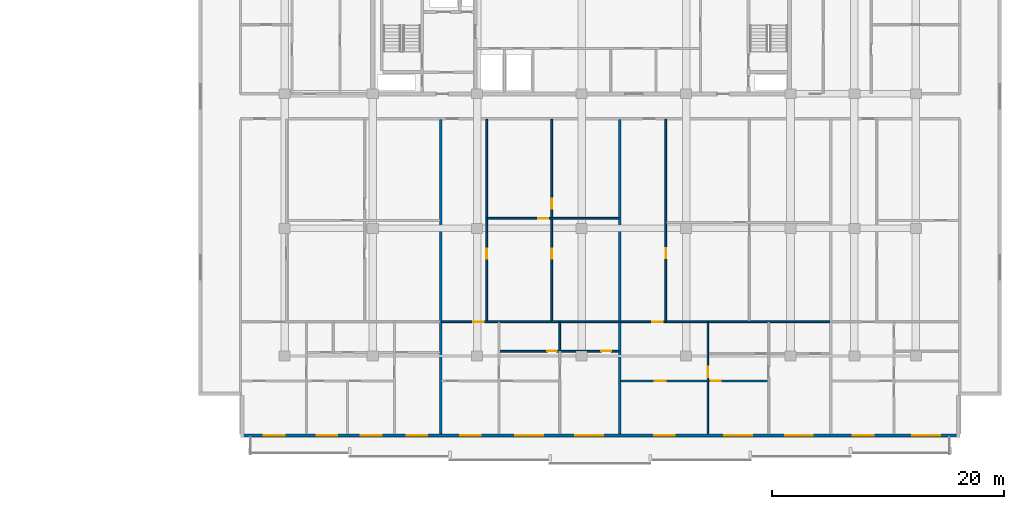
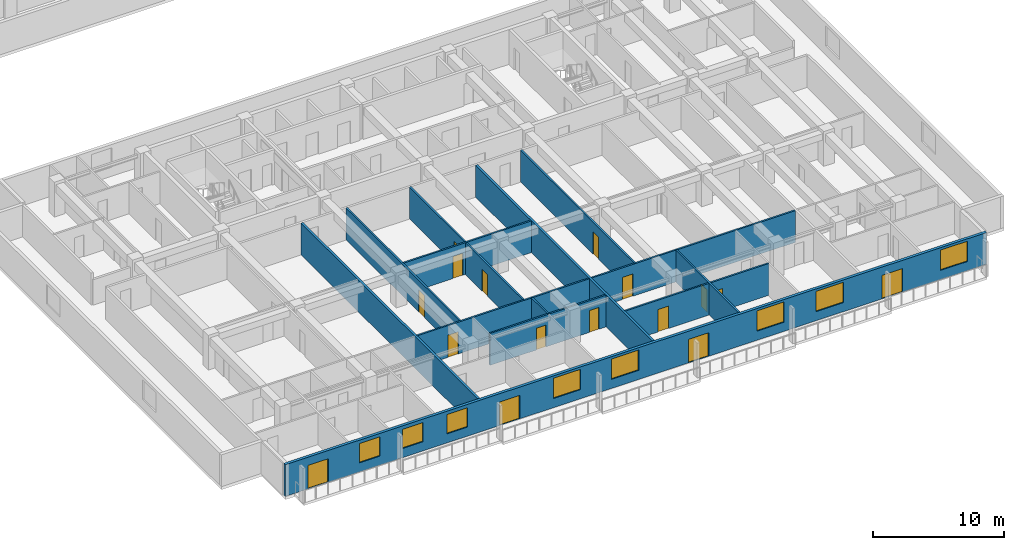
# One storey, part 5 of 24: 16 doors, 13 walls, 8 windows, 24 openings.
"""IFC4 building model written with IfcOpenShell, lengths in metres."""

from ifc_helpers import new_model, si_unit, direction, frame, frame_2d, origin, place, context, subcontext, project, spatial, rectangle, extrude, material, layer, layer_set, type_object, element, fill, save


model = new_model("IFC4")

# Units and contexts
model_context = context("Model", 3, precision=1e-05, world=origin(), true_north=direction((0.0, 1.0)))
body_context = subcontext(model_context, "Body", "Model", "MODEL_VIEW")
ifc_project = project(units=[si_unit("LENGTHUNIT", "METRE"), si_unit("AREAUNIT", "SQUARE_METRE"), si_unit("VOLUMEUNIT", "CUBIC_METRE"), si_unit("PLANEANGLEUNIT", "RADIAN"), si_unit("MASSUNIT", "GRAM", prefix="KILO")], contexts=[model_context])

# Site, building, storey
site_placement = place(None, origin())
site = spatial("IfcSite", under=ifc_project, at=site_placement, CompositionType="ELEMENT")
building_placement = place(site_placement, origin())
building = spatial("IfcBuilding", under=site, at=building_placement, Name="Korimba Cascade Residences", CompositionType="ELEMENT")
storey_placement = place(building_placement, frame((0.0, 0.0, 43.5)))
storey = spatial("IfcBuildingStorey", under=building, at=storey_placement, Name="L11", CompositionType="ELEMENT", Elevation=43.5)

# Wall, openings, doors, windows
ifc_material_1 = material(Name="Precast concrete C40/50", Category="concrete")
ifc_layer_1 = layer(ifc_material_1, 0.25)
ifc_layer_set_1 = layer_set([ifc_layer_1], Name="Precast concrete C40/50")
wall_type_1 = type_object("IfcWallType", Name="EW-LOG-250", PredefinedType="STANDARD", material=ifc_layer_set_1)
wall_1_placement = place(storey_placement, frame((70.699951171875, -11.050048828125, 0.0), z_axis=(0.0, 0.0, 1.0), x_axis=(1.0, 0.0, 0.0)))
wall_1 = element("IfcWall", 1, at=wall_1_placement, inside=storey, type_object=wall_type_1, Name="L11 T2 Perimeter Stone Wall E00", PredefinedType="STANDARD", context=body_context, shape_type="SweptSolid", body=[
    extrude(rectangle(XDim=62.0, YDim=0.25, at=frame_2d((31.0, 0.0))), origin(), (0.0, 0.0, 1.0), 2.969970703125),
])
opening_1_placement = place(wall_1_placement, frame((6.554931640625, 0.0, 0.85009765625)))
opening_1 = element("IfcOpeningElement", 2, at=opening_1_placement, cuts=wall_1, Name="Opening W-02", PredefinedType="OPENING", context=body_context, shape_type="SweptSolid", body=[
    extrude(rectangle(XDim=1.800048828125, YDim=1.800048828125, at=frame_2d((0.89990234375, 0.89990234375))), frame((0.0, 0.135009765625, 0.0), z_axis=(0.0, -1.0, 0.0), x_axis=(1.0, 0.0, 0.0)), (0.0, 0.0, 1.0), 0.27001953125),
])
opening_2_placement = place(wall_1_placement, frame((10.35498046875, 0.0, 0.85009765625)))
opening_2 = element("IfcOpeningElement", 3, at=opening_2_placement, cuts=wall_1, Name="Opening W-02", PredefinedType="OPENING", context=body_context, shape_type="SweptSolid", body=[
    extrude(rectangle(XDim=1.800048828125, YDim=1.800048828125, at=frame_2d((0.89990234375, 0.89990234375))), frame((0.0, 0.135009765625, 0.0), z_axis=(0.0, -1.0, 0.0), x_axis=(1.0, 0.0, 0.0)), (0.0, 0.0, 1.0), 0.27001953125),
])
opening_3_placement = place(wall_1_placement, frame((2.0, 0.0, 0.0)))
opening_3 = element("IfcOpeningElement", 4, at=opening_3_placement, cuts=wall_1, Name="Opening D-LG1", PredefinedType="OPENING", context=body_context, shape_type="SweptSolid", body=[
    extrude(rectangle(XDim=1.800048828125, YDim=2.199951171875, at=frame_2d((0.89990234375, 1.10009765625))), frame((0.0, 0.135009765625, 0.0), z_axis=(0.0, -1.0, 0.0), x_axis=(1.0, 0.0, 0.0)), (0.0, 0.0, 1.0), 0.27001953125),
])
opening_4_placement = place(wall_1_placement, frame((14.308349609375, 0.0, 0.85009765625)))
opening_4 = element("IfcOpeningElement", 5, at=opening_4_placement, cuts=wall_1, Name="Opening W-02", PredefinedType="OPENING", context=body_context, shape_type="SweptSolid", body=[
    extrude(rectangle(XDim=1.800048828125, YDim=1.800048828125, at=frame_2d((0.89990234375, 0.89990234375))), frame((0.0, 0.135009765625, 0.0), z_axis=(0.0, -1.0, 0.0), x_axis=(1.0, 0.0, 0.0)), (0.0, 0.0, 1.0), 0.27001953125),
])
opening_5_placement = place(wall_1_placement, frame((23.699951171875, 0.0, 0.85009765625)))
opening_5 = element("IfcOpeningElement", 6, at=opening_5_placement, cuts=wall_1, Name="Opening W-01", PredefinedType="OPENING", context=body_context, shape_type="SweptSolid", body=[
    extrude(rectangle(XDim=2.39990234375, YDim=1.89990234375, at=frame_2d((1.199951171875, 0.949951171875))), frame((0.0, 0.135009765625, 0.0), z_axis=(0.0, -1.0, 0.0), x_axis=(1.0, 0.0, 0.0)), (0.0, 0.0, 1.0), 0.27001953125),
])
opening_6_placement = place(wall_1_placement, frame((18.928466796875, 0.0, 0.0)))
opening_6 = element("IfcOpeningElement", 7, at=opening_6_placement, cuts=wall_1, Name="Opening D-LG1", PredefinedType="OPENING", context=body_context, shape_type="SweptSolid", body=[
    extrude(rectangle(XDim=1.800048828125, YDim=2.199951171875, at=frame_2d((0.89990234375, 1.10009765625))), frame((0.0, 0.135009765625, 0.0), z_axis=(0.0, -1.0, 0.0), x_axis=(1.0, 0.0, 0.0)), (0.0, 0.0, 1.0), 0.27001953125),
])
opening_7_placement = place(wall_1_placement, frame((28.843994140625, 0.0, 0.85009765625)))
opening_7 = element("IfcOpeningElement", 8, at=opening_7_placement, cuts=wall_1, Name="Opening W-01", PredefinedType="OPENING", context=body_context, shape_type="SweptSolid", body=[
    extrude(rectangle(XDim=2.39990234375, YDim=1.89990234375, at=frame_2d((1.199951171875, 0.949951171875))), frame((0.0, 0.135009765625, 0.0), z_axis=(0.0, -1.0, 0.0), x_axis=(1.0, 0.0, 0.0)), (0.0, 0.0, 1.0), 0.27001953125),
])
opening_8_placement = place(wall_1_placement, frame((41.699951171875, 0.0, 0.85009765625)))
opening_8 = element("IfcOpeningElement", 9, at=opening_8_placement, cuts=wall_1, Name="Opening W-01", PredefinedType="OPENING", context=body_context, shape_type="SweptSolid", body=[
    extrude(rectangle(XDim=2.39990234375, YDim=1.89990234375, at=frame_2d((1.199951171875, 0.949951171875))), frame((0.0, 0.135009765625, 0.0), z_axis=(0.0, -1.0, 0.0), x_axis=(1.0, 0.0, 0.0)), (0.0, 0.0, 1.0), 0.27001953125),
])
opening_9_placement = place(wall_1_placement, frame((35.64404296875, 0.0, 0.0)))
opening_9 = element("IfcOpeningElement", 10, at=opening_9_placement, cuts=wall_1, Name="Opening D-LG1", PredefinedType="OPENING", context=body_context, shape_type="SweptSolid", body=[
    extrude(rectangle(XDim=1.800048828125, YDim=2.199951171875, at=frame_2d((0.89990234375, 1.10009765625))), frame((0.0, 0.135009765625, 0.0), z_axis=(0.0, -1.0, 0.0), x_axis=(1.0, 0.0, 0.0)), (0.0, 0.0, 1.0), 0.27001953125),
])
opening_10_placement = place(wall_1_placement, frame((46.93505859375, 0.0, 0.85009765625)))
opening_10 = element("IfcOpeningElement", 11, at=opening_10_placement, cuts=wall_1, Name="Opening W-01", PredefinedType="OPENING", context=body_context, shape_type="SweptSolid", body=[
    extrude(rectangle(XDim=2.39990234375, YDim=1.89990234375, at=frame_2d((1.199951171875, 0.949951171875))), frame((0.0, 0.135009765625, 0.0), z_axis=(0.0, -1.0, 0.0), x_axis=(1.0, 0.0, 0.0)), (0.0, 0.0, 1.0), 0.27001953125),
])
opening_11_placement = place(wall_1_placement, frame((52.755126953125, 0.0, 0.0)))
opening_11 = element("IfcOpeningElement", 12, at=opening_11_placement, cuts=wall_1, Name="Opening D-LG1", PredefinedType="OPENING", context=body_context, shape_type="SweptSolid", body=[
    extrude(rectangle(XDim=1.800048828125, YDim=2.199951171875, at=frame_2d((0.89990234375, 1.10009765625))), frame((0.0, 0.135009765625, 0.0), z_axis=(0.0, -1.0, 0.0), x_axis=(1.0, 0.0, 0.0)), (0.0, 0.0, 1.0), 0.27001953125),
])
opening_12_placement = place(wall_1_placement, frame((57.89990234375, 0.0, 0.85009765625)))
opening_12 = element("IfcOpeningElement", 13, at=opening_12_placement, cuts=wall_1, Name="Opening W-01", PredefinedType="OPENING", context=body_context, shape_type="SweptSolid", body=[
    extrude(rectangle(XDim=2.39990234375, YDim=1.89990234375, at=frame_2d((1.199951171875, 0.949951171875))), frame((0.0, 0.135009765625, 0.0), z_axis=(0.0, -1.0, 0.0), x_axis=(1.0, 0.0, 0.0)), (0.0, 0.0, 1.0), 0.27001953125),
])
ifc_material_2 = material(Name="Glazed Aluminium Loggia Sliding Door", Category="aluminium")
door_type_1 = type_object("IfcDoorType", Name="DR-EXT-LOG", OperationType="NOTDEFINED", PredefinedType="DOOR", material=ifc_material_2)
door_1_placement = place(opening_3_placement, origin())
door_1 = element("IfcDoor", 14, at=door_1_placement, inside=storey, type_object=door_type_1, Name="L11 T2 Loggia Sliding Door 5", OperationType="SLIDING_TO_RIGHT", OverallHeight=2.199951171875, OverallWidth=1.800048828125, PredefinedType="DOOR", context=body_context, shape_type="SweptSolid", body=[
    extrude(rectangle(XDim=1.800048828125, YDim=2.199951171875, at=frame_2d((0.89990234375, 1.10009765625))), frame((0.0, 0.02490234375, 0.0), z_axis=(0.0, -1.0, 0.0), x_axis=(1.0, 0.0, 0.0)), (0.0, 0.0, 1.0), 0.050048828125),
])
fill(opening_3, door_1)
door_2_placement = place(opening_6_placement, origin())
door_2 = element("IfcDoor", 15, at=door_2_placement, inside=storey, type_object=door_type_1, Name="L11 T2 Loggia Sliding Door 8", OperationType="SLIDING_TO_RIGHT", OverallHeight=2.199951171875, OverallWidth=1.800048828125, PredefinedType="DOOR", context=body_context, shape_type="SweptSolid", body=[
    extrude(rectangle(XDim=1.800048828125, YDim=2.199951171875, at=frame_2d((0.89990234375, 1.10009765625))), frame((0.0, 0.02490234375, 0.0), z_axis=(0.0, -1.0, 0.0), x_axis=(1.0, 0.0, 0.0)), (0.0, 0.0, 1.0), 0.050048828125),
])
fill(opening_6, door_2)
door_3_placement = place(opening_9_placement, origin())
door_3 = element("IfcDoor", 16, at=door_3_placement, inside=storey, type_object=door_type_1, Name="L11 T2 Loggia Sliding Door 11", OperationType="SLIDING_TO_RIGHT", OverallHeight=2.199951171875, OverallWidth=1.800048828125, PredefinedType="DOOR", context=body_context, shape_type="SweptSolid", body=[
    extrude(rectangle(XDim=1.800048828125, YDim=2.199951171875, at=frame_2d((0.89990234375, 1.10009765625))), frame((0.0, 0.02490234375, 0.0), z_axis=(0.0, -1.0, 0.0), x_axis=(1.0, 0.0, 0.0)), (0.0, 0.0, 1.0), 0.050048828125),
])
fill(opening_9, door_3)
door_4_placement = place(opening_11_placement, origin())
door_4 = element("IfcDoor", 17, at=door_4_placement, inside=storey, type_object=door_type_1, Name="L11 T2 Loggia Sliding Door 13", OperationType="SLIDING_TO_RIGHT", OverallHeight=2.199951171875, OverallWidth=1.800048828125, PredefinedType="DOOR", context=body_context, shape_type="SweptSolid", body=[
    extrude(rectangle(XDim=1.800048828125, YDim=2.199951171875, at=frame_2d((0.89990234375, 1.10009765625))), frame((0.0, 0.02490234375, 0.0), z_axis=(0.0, -1.0, 0.0), x_axis=(1.0, 0.0, 0.0)), (0.0, 0.0, 1.0), 0.050048828125),
])
fill(opening_11, door_4)
ifc_material_3 = material(Name="Double-Glazed Aluminium Window", Category="aluminium")
window_type_1 = type_object("IfcWindowType", Name="WIN-BED-1800", PartitioningType="SINGLE_PANEL", PredefinedType="WINDOW", material=ifc_material_3)
window_1_placement = place(opening_1_placement, origin())
window_1 = element("IfcWindow", 18, at=window_1_placement, inside=storey, type_object=window_type_1, Name="L11 T2 South Facade Window 3", OverallHeight=1.800048828125, OverallWidth=1.800048828125, PartitioningType="SINGLE_PANEL", PredefinedType="WINDOW", context=body_context, shape_type="SweptSolid", body=[
    extrude(rectangle(XDim=1.800048828125, YDim=1.800048828125, at=frame_2d((0.89990234375, 0.89990234375))), frame((0.0, 0.030029296875, 0.0), z_axis=(0.0, -1.0, 0.0), x_axis=(1.0, 0.0, 0.0)), (0.0, 0.0, 1.0), 0.06005859375),
])
fill(opening_1, window_1)
window_2_placement = place(opening_2_placement, origin())
window_2 = element("IfcWindow", 19, at=window_2_placement, inside=storey, type_object=window_type_1, Name="L11 T2 South Facade Window 4", OverallHeight=1.800048828125, OverallWidth=1.800048828125, PartitioningType="SINGLE_PANEL", PredefinedType="WINDOW", context=body_context, shape_type="SweptSolid", body=[
    extrude(rectangle(XDim=1.800048828125, YDim=1.800048828125, at=frame_2d((0.89990234375, 0.89990234375))), frame((0.0, 0.030029296875, 0.0), z_axis=(0.0, -1.0, 0.0), x_axis=(1.0, 0.0, 0.0)), (0.0, 0.0, 1.0), 0.06005859375),
])
fill(opening_2, window_2)
window_3_placement = place(opening_4_placement, origin())
window_3 = element("IfcWindow", 20, at=window_3_placement, inside=storey, type_object=window_type_1, Name="L11 T2 South Facade Window 6", OverallHeight=1.800048828125, OverallWidth=1.800048828125, PartitioningType="SINGLE_PANEL", PredefinedType="WINDOW", context=body_context, shape_type="SweptSolid", body=[
    extrude(rectangle(XDim=1.800048828125, YDim=1.800048828125, at=frame_2d((0.89990234375, 0.89990234375))), frame((0.0, 0.030029296875, 0.0), z_axis=(0.0, -1.0, 0.0), x_axis=(1.0, 0.0, 0.0)), (0.0, 0.0, 1.0), 0.06005859375),
])
fill(opening_4, window_3)
window_type_2 = type_object("IfcWindowType", Name="WIN-RES-2400", PartitioningType="DOUBLE_PANEL_VERTICAL", PredefinedType="WINDOW", material=ifc_material_3)
window_4_placement = place(opening_5_placement, origin())
window_4 = element("IfcWindow", 21, at=window_4_placement, inside=storey, type_object=window_type_2, Name="L11 T2 South Facade Window 7", OverallHeight=1.89990234375, OverallWidth=2.39990234375, PartitioningType="DOUBLE_PANEL_VERTICAL", PredefinedType="WINDOW", context=body_context, shape_type="SweptSolid", body=[
    extrude(rectangle(XDim=2.39990234375, YDim=1.89990234375, at=frame_2d((1.199951171875, 0.949951171875))), frame((0.0, 0.030029296875, 0.0), z_axis=(0.0, -1.0, 0.0), x_axis=(1.0, 0.0, 0.0)), (0.0, 0.0, 1.0), 0.06005859375),
])
fill(opening_5, window_4)
window_5_placement = place(opening_7_placement, origin())
window_5 = element("IfcWindow", 22, at=window_5_placement, inside=storey, type_object=window_type_2, Name="L11 T2 South Facade Window 9", OverallHeight=1.89990234375, OverallWidth=2.39990234375, PartitioningType="DOUBLE_PANEL_VERTICAL", PredefinedType="WINDOW", context=body_context, shape_type="SweptSolid", body=[
    extrude(rectangle(XDim=2.39990234375, YDim=1.89990234375, at=frame_2d((1.199951171875, 0.949951171875))), frame((0.0, 0.030029296875, 0.0), z_axis=(0.0, -1.0, 0.0), x_axis=(1.0, 0.0, 0.0)), (0.0, 0.0, 1.0), 0.06005859375),
])
fill(opening_7, window_5)
window_6_placement = place(opening_8_placement, origin())
window_6 = element("IfcWindow", 23, at=window_6_placement, inside=storey, type_object=window_type_2, Name="L11 T2 South Facade Window 10", OverallHeight=1.89990234375, OverallWidth=2.39990234375, PartitioningType="DOUBLE_PANEL_VERTICAL", PredefinedType="WINDOW", context=body_context, shape_type="SweptSolid", body=[
    extrude(rectangle(XDim=2.39990234375, YDim=1.89990234375, at=frame_2d((1.199951171875, 0.949951171875))), frame((0.0, 0.030029296875, 0.0), z_axis=(0.0, -1.0, 0.0), x_axis=(1.0, 0.0, 0.0)), (0.0, 0.0, 1.0), 0.06005859375),
])
fill(opening_8, window_6)
window_7_placement = place(opening_10_placement, origin())
window_7 = element("IfcWindow", 24, at=window_7_placement, inside=storey, type_object=window_type_2, Name="L11 T2 South Facade Window 12", OverallHeight=1.89990234375, OverallWidth=2.39990234375, PartitioningType="DOUBLE_PANEL_VERTICAL", PredefinedType="WINDOW", context=body_context, shape_type="SweptSolid", body=[
    extrude(rectangle(XDim=2.39990234375, YDim=1.89990234375, at=frame_2d((1.199951171875, 0.949951171875))), frame((0.0, 0.030029296875, 0.0), z_axis=(0.0, -1.0, 0.0), x_axis=(1.0, 0.0, 0.0)), (0.0, 0.0, 1.0), 0.06005859375),
])
fill(opening_10, window_7)
window_8_placement = place(opening_12_placement, origin())
window_8 = element("IfcWindow", 25, at=window_8_placement, inside=storey, type_object=window_type_2, Name="L11 T2 South Facade Window 14", OverallHeight=1.89990234375, OverallWidth=2.39990234375, PartitioningType="DOUBLE_PANEL_VERTICAL", PredefinedType="WINDOW", context=body_context, shape_type="SweptSolid", body=[
    extrude(rectangle(XDim=2.39990234375, YDim=1.89990234375, at=frame_2d((1.199951171875, 0.949951171875))), frame((0.0, 0.030029296875, 0.0), z_axis=(0.0, -1.0, 0.0), x_axis=(1.0, 0.0, 0.0)), (0.0, 0.0, 1.0), 0.06005859375),
])
fill(opening_12, window_8)

# Walls
ifc_layer_2 = layer(ifc_material_1, 0.199951171875)
ifc_layer_set_2 = layer_set([ifc_layer_2], Name="Precast concrete C40/50")
wall_type_2 = type_object("IfcWallType", Name="WAL-IT-200", PredefinedType="PARTITIONING", material=ifc_layer_set_2)
for number, where, z_axis, x_axis, name in (
    (26, (87.956787109375, -10.89990234375, 0.0), (0.0, 0.0, 1.0), (0.0, 1.0, 0.0), "L11 Partition Wall WAL-L11-T2-DEM-1"),
    (27, (103.387939453125, -10.89990234375, 0.0), (0.0, 0.0, 1.0), (0.0, 1.0, 0.0), "L11 Partition Wall WAL-L11-T2-DEM-2"),
):
    element("IfcWall", number, at=place(storey_placement, frame(where, z_axis=z_axis, x_axis=x_axis)), inside=storey, type_object=wall_type_2, Name=name, PredefinedType="PARTITIONING", context=body_context, shape_type="SweptSolid", body=[
        extrude(rectangle(XDim=27.06982421875, YDim=0.199951171875, at=frame_2d((13.534912109375, 0.0))), origin(), (0.0, 0.0, 1.0), 2.969970703125),
    ])

# Wall, openings, doors
ifc_material_4 = material(Name="Insulated Acoustic Stud Partition", Category="gypsum")
ifc_layer_3 = layer(ifc_material_4, 0.14990234375)
ifc_layer_set_3 = layer_set([ifc_layer_3], Name="Insulated Acoustic Stud Partition")
wall_type_3 = type_object("IfcWallType", Name="WAL-PART-150", PredefinedType="PARTITIONING", material=ifc_layer_set_3)
wall_2_placement = place(storey_placement, frame((97.52734375, -1.2099609375, 0.0), z_axis=(0.0, 0.0, 1.0), x_axis=(0.0, 1.0, 0.0)))
wall_2 = element("IfcWall", 28, at=wall_2_placement, inside=storey, type_object=wall_type_3, Name="L11 Partition Wall WAL-L11-T2-U02-FMV", PredefinedType="PARTITIONING", context=body_context, shape_type="SweptSolid", body=[
    extrude(rectangle(XDim=17.39990234375, YDim=0.14990234375, at=frame_2d((8.699951171875, 0.0))), origin(), (0.0, 0.0, 1.0), 2.969970703125),
])
opening_13_placement = place(wall_2_placement, frame((5.4091796875, 0.0, 0.0)))
opening_13 = element("IfcOpeningElement", 29, at=opening_13_placement, cuts=wall_2, Name="Opening D-BT1", PredefinedType="OPENING", context=body_context, shape_type="SweptSolid", body=[
    extrude(rectangle(XDim=0.840087890625, YDim=2.0400390625, at=frame_2d((0.419921875, 1.02001953125))), frame((0.0, 0.0849609375, 0.0), z_axis=(0.0, -1.0, 0.0), x_axis=(1.0, 0.0, 0.0)), (0.0, 0.0, 1.0), 0.169921875),
])
opening_14_placement = place(wall_2_placement, frame((9.693115234375, 0.0, 0.0)))
opening_14 = element("IfcOpeningElement", 30, at=opening_14_placement, cuts=wall_2, Name="Opening D-IN2", PredefinedType="OPENING", context=body_context, shape_type="SweptSolid", body=[
    extrude(rectangle(XDim=0.8798828125, YDim=2.06005859375, at=frame_2d((0.43994140625, 1.030029296875))), frame((0.0, 0.0849609375, 0.0), z_axis=(0.0, -1.0, 0.0), x_axis=(1.0, 0.0, 0.0)), (0.0, 0.0, 1.0), 0.169921875),
])
ifc_material_5 = material(Name="Moisture-Resistant Bathroom Timber Door", Category="wood")
door_type_2 = type_object("IfcDoorType", Name="DR-INT-850", OperationType="NOTDEFINED", PredefinedType="DOOR", material=ifc_material_5)
door_5_placement = place(opening_13_placement, origin())
door_5 = element("IfcDoor", 31, at=door_5_placement, inside=storey, type_object=door_type_2, Name="L11-T2-U02 Wardrobe Door", OperationType="SINGLE_SWING_LEFT", OverallHeight=2.0400390625, OverallWidth=0.840087890625, PredefinedType="DOOR", context=body_context, shape_type="SweptSolid", body=[
    extrude(rectangle(XDim=0.840087890625, YDim=2.0400390625, at=frame_2d((0.419921875, 1.02001953125))), frame((0.0, 0.02490234375, 0.0), z_axis=(0.0, -1.0, 0.0), x_axis=(1.0, 0.0, 0.0)), (0.0, 0.0, 1.0), 0.050048828125),
])
fill(opening_13, door_5)
ifc_material_6 = material(Name="Acoustic Timber Bedroom Door", Category="wood")
door_type_3 = type_object("IfcDoorType", Name="DR-INT-880", OperationType="NOTDEFINED", PredefinedType="DOOR", material=ifc_material_6)
door_6_placement = place(opening_14_placement, origin())
door_6 = element("IfcDoor", 32, at=door_6_placement, inside=storey, type_object=door_type_3, Name="L11-T2-U02 Music Lounge Door", OperationType="SINGLE_SWING_RIGHT", OverallHeight=2.06005859375, OverallWidth=0.8798828125, PredefinedType="DOOR", context=body_context, shape_type="SweptSolid", body=[
    extrude(rectangle(XDim=0.8798828125, YDim=2.06005859375, at=frame_2d((0.43994140625, 1.030029296875))), frame((0.0, 0.02490234375, 0.0), z_axis=(0.0, -1.0, 0.0), x_axis=(1.0, 0.0, 0.0)), (0.0, 0.0, 1.0), 0.050048828125),
])
fill(opening_14, door_6)

# Wall, opening, door
wall_3_placement = place(storey_placement, frame((91.98681640625, 7.669921875, 0.0), z_axis=(0.0, 0.0, 1.0), x_axis=(1.0, 0.0, 0.0)))
wall_3 = element("IfcWall", 33, at=wall_3_placement, inside=storey, type_object=wall_type_3, Name="L11 Partition Wall WAL-L11-T2-U02-FMH", PredefinedType="PARTITIONING", context=body_context, shape_type="SweptSolid", body=[
    extrude(rectangle(XDim=11.3212890625, YDim=0.14990234375, at=frame_2d((5.66064453125, 0.0))), origin(), (0.0, 0.0, 1.0), 2.969970703125),
])
opening_15_placement = place(wall_3_placement, frame((4.35888671875, 0.0, 0.0)))
opening_15 = element("IfcOpeningElement", 34, at=opening_15_placement, cuts=wall_3, Name="Opening D-IN2", PredefinedType="OPENING", context=body_context, shape_type="SweptSolid", body=[
    extrude(rectangle(XDim=0.8798828125, YDim=2.06005859375, at=frame_2d((0.43994140625, 1.030029296875))), frame((0.0, 0.0849609375, 0.0), z_axis=(0.0, -1.0, 0.0), x_axis=(1.0, 0.0, 0.0)), (0.0, 0.0, 1.0), 0.169921875),
])
door_7_placement = place(opening_15_placement, origin())
door_7 = element("IfcDoor", 35, at=door_7_placement, inside=storey, type_object=door_type_3, Name="L11-T2-U02 Library Salon Door", OperationType="SINGLE_SWING_LEFT", OverallHeight=2.06005859375, OverallWidth=0.8798828125, PredefinedType="DOOR", context=body_context, shape_type="SweptSolid", body=[
    extrude(rectangle(XDim=0.8798828125, YDim=2.06005859375, at=frame_2d((0.43994140625, 1.030029296875))), frame((0.0, 0.02490234375, 0.0), z_axis=(0.0, -1.0, 0.0), x_axis=(1.0, 0.0, 0.0)), (0.0, 0.0, 1.0), 0.050048828125),
])
fill(opening_15, door_7)

wall_4_placement = place(storey_placement, frame((91.9267578125, -1.2099609375, 0.0), z_axis=(0.0, 0.0, 1.0), x_axis=(0.0, 1.0, 0.0)))
wall_4 = element("IfcWall", 36, at=wall_4_placement, inside=storey, type_object=wall_type_3, Name="L11 Partition Wall WAL-L11-T2-U02-FV", PredefinedType="PARTITIONING", context=body_context, shape_type="SweptSolid", body=[
    extrude(rectangle(XDim=17.39990234375, YDim=0.14990234375, at=frame_2d((8.699951171875, 0.0))), origin(), (0.0, 0.0, 1.0), 2.969970703125),
])
opening_16_placement = place(wall_4_placement, frame((5.382080078125, 0.0, 0.0)))
opening_16 = element("IfcOpeningElement", 37, at=opening_16_placement, cuts=wall_4, Name="Opening D-IN2", PredefinedType="OPENING", context=body_context, shape_type="SweptSolid", body=[
    extrude(rectangle(XDim=0.8798828125, YDim=2.06005859375, at=frame_2d((0.43994140625, 1.030029296875))), frame((0.0, 0.0849609375, 0.0), z_axis=(0.0, -1.0, 0.0), x_axis=(1.0, 0.0, 0.0)), (0.0, 0.0, 1.0), 0.169921875),
])
door_8_placement = place(opening_16_placement, origin())
door_8 = element("IfcDoor", 38, at=door_8_placement, inside=storey, type_object=door_type_3, Name="L11-T2-U02 Media Lounge Door", OperationType="SINGLE_SWING_RIGHT", OverallHeight=2.06005859375, OverallWidth=0.8798828125, PredefinedType="DOOR", context=body_context, shape_type="SweptSolid", body=[
    extrude(rectangle(XDim=0.8798828125, YDim=2.06005859375, at=frame_2d((0.43994140625, 1.030029296875))), frame((0.0, 0.02490234375, 0.0), z_axis=(0.0, -1.0, 0.0), x_axis=(1.0, 0.0, 0.0)), (0.0, 0.0, 1.0), 0.050048828125),
])
fill(opening_16, door_8)

# Wall
wall_5_placement = place(storey_placement, frame((98.219970703125, -3.760009765625, 0.0), z_axis=(0.0, 0.0, 1.0), x_axis=(0.0, 1.0, 0.0)))
element("IfcWall", 39, at=wall_5_placement, inside=storey, type_object=wall_type_3, Name="L11 Partition Wall WAL-L11-T2-U02-VBATH", PredefinedType="PARTITIONING", context=body_context, shape_type="SweptSolid", body=[
    extrude(rectangle(XDim=2.469970703125, YDim=0.14990234375, at=frame_2d((1.23486328125, 0.0))), origin(), (0.0, 0.0, 1.0), 2.969970703125),
])

# Wall, openings, doors
wall_6_placement = place(storey_placement, frame((93.02001953125, -3.780029296875, 0.0), z_axis=(0.0, 0.0, 1.0), x_axis=(1.0, 0.0, 0.0)))
wall_6 = element("IfcWall", 40, at=wall_6_placement, inside=storey, type_object=wall_type_3, Name="L11 Partition Wall WAL-L11-T2-U02-HWALL", PredefinedType="PARTITIONING", context=body_context, shape_type="SweptSolid", body=[
    extrude(rectangle(XDim=10.2880859375, YDim=0.14990234375, at=frame_2d((5.14404296875, 0.0))), origin(), (0.0, 0.0, 1.0), 2.969970703125),
])
opening_17_placement = place(wall_6_placement, frame((4.110107421875, 0.0, 0.0)))
opening_17 = element("IfcOpeningElement", 41, at=opening_17_placement, cuts=wall_6, Name="Opening D-BT1", PredefinedType="OPENING", context=body_context, shape_type="SweptSolid", body=[
    extrude(rectangle(XDim=0.840087890625, YDim=2.0400390625, at=frame_2d((0.419921875, 1.02001953125))), frame((0.0, 0.0849609375, 0.0), z_axis=(0.0, -1.0, 0.0), x_axis=(1.0, 0.0, 0.0)), (0.0, 0.0, 1.0), 0.169921875),
])
opening_18_placement = place(wall_6_placement, frame((8.787109375, 0.0, 0.0)))
opening_18 = element("IfcOpeningElement", 42, at=opening_18_placement, cuts=wall_6, Name="Opening D-BT1", PredefinedType="OPENING", context=body_context, shape_type="SweptSolid", body=[
    extrude(rectangle(XDim=0.840087890625, YDim=2.0400390625, at=frame_2d((0.419921875, 1.02001953125))), frame((0.0, 0.0849609375, 0.0), z_axis=(0.0, -1.0, 0.0), x_axis=(1.0, 0.0, 0.0)), (0.0, 0.0, 1.0), 0.169921875),
])
door_9_placement = place(opening_17_placement, origin())
door_9 = element("IfcDoor", 43, at=door_9_placement, inside=storey, type_object=door_type_2, Name="L11-T2-U02 Family Bathroom Door", OperationType="SINGLE_SWING_LEFT", OverallHeight=2.0400390625, OverallWidth=0.840087890625, PredefinedType="DOOR", context=body_context, shape_type="SweptSolid", body=[
    extrude(rectangle(XDim=0.840087890625, YDim=2.0400390625, at=frame_2d((0.419921875, 1.02001953125))), frame((0.0, 0.02490234375, 0.0), z_axis=(0.0, -1.0, 0.0), x_axis=(1.0, 0.0, 0.0)), (0.0, 0.0, 1.0), 0.050048828125),
])
fill(opening_17, door_9)
door_10_placement = place(opening_18_placement, origin())
door_10 = element("IfcDoor", 44, at=door_10_placement, inside=storey, type_object=door_type_2, Name="L11-T2-U02 En-Suite Door", OperationType="SINGLE_SWING_RIGHT", OverallHeight=2.0400390625, OverallWidth=0.840087890625, PredefinedType="DOOR", context=body_context, shape_type="SweptSolid", body=[
    extrude(rectangle(XDim=0.840087890625, YDim=2.0400390625, at=frame_2d((0.419921875, 1.02001953125))), frame((0.0, 0.02490234375, 0.0), z_axis=(0.0, -1.0, 0.0), x_axis=(1.0, 0.0, 0.0)), (0.0, 0.0, 1.0), 0.050048828125),
])
fill(opening_18, door_10)

# Wall, opening, door
wall_7_placement = place(storey_placement, frame((88.03662109375, -1.25, 0.0), z_axis=(0.0, 0.0, 1.0), x_axis=(1.0, 0.0, 0.0)))
wall_7 = element("IfcWall", 45, at=wall_7_placement, inside=storey, type_object=wall_type_3, Name="L11 Partition Wall WAL-L11-T2-U02-MW", PredefinedType="PARTITIONING", context=body_context, shape_type="SweptSolid", body=[
    extrude(rectangle(XDim=15.271484375, YDim=0.14990234375, at=frame_2d((7.6357421875, 0.0))), origin(), (0.0, 0.0, 1.0), 2.969970703125),
])
opening_19_placement = place(wall_7_placement, frame((2.719970703125, 0.0, 0.0)))
opening_19 = element("IfcOpeningElement", 46, at=opening_19_placement, cuts=wall_7, Name="Opening D-IN1", PredefinedType="OPENING", context=body_context, shape_type="SweptSolid", body=[
    extrude(rectangle(XDim=0.919921875, YDim=2.080078125, at=frame_2d((0.4599609375, 1.0400390625))), frame((0.0, 0.0849609375, 0.0), z_axis=(0.0, -1.0, 0.0), x_axis=(1.0, 0.0, 0.0)), (0.0, 0.0, 1.0), 0.169921875),
])
ifc_material_7 = material(Name="Acoustic Timber Living Door", Category="wood")
door_type_4 = type_object("IfcDoorType", Name="DR-INT-920", OperationType="NOTDEFINED", PredefinedType="DOOR", material=ifc_material_7)
door_11_placement = place(opening_19_placement, origin())
door_11 = element("IfcDoor", 47, at=door_11_placement, inside=storey, type_object=door_type_4, Name="L11-T2-U02 Kitchen Door", OperationType="SINGLE_SWING_LEFT", OverallHeight=2.080078125, OverallWidth=0.919921875, PredefinedType="DOOR", context=body_context, shape_type="SweptSolid", body=[
    extrude(rectangle(XDim=0.919921875, YDim=2.080078125, at=frame_2d((0.4599609375, 1.0400390625))), frame((0.0, 0.02490234375, 0.0), z_axis=(0.0, -1.0, 0.0), x_axis=(1.0, 0.0, 0.0)), (0.0, 0.0, 1.0), 0.050048828125),
])
fill(opening_19, door_11)

wall_8_placement = place(storey_placement, frame((107.35791015625, -1.2099609375, 0.0), z_axis=(0.0, 0.0, 1.0), x_axis=(0.0, 1.0, 0.0)))
wall_8 = element("IfcWall", 48, at=wall_8_placement, inside=storey, type_object=wall_type_3, Name="L11 Partition Wall WAL-L11-T2-U03-FV", PredefinedType="PARTITIONING", context=body_context, shape_type="SweptSolid", body=[
    extrude(rectangle(XDim=17.39990234375, YDim=0.14990234375, at=frame_2d((8.699951171875, 0.0))), origin(), (0.0, 0.0, 1.0), 2.969970703125),
])
opening_20_placement = place(wall_8_placement, frame((5.418701171875, 0.0, 0.0)))
opening_20 = element("IfcOpeningElement", 49, at=opening_20_placement, cuts=wall_8, Name="Opening D-IN2", PredefinedType="OPENING", context=body_context, shape_type="SweptSolid", body=[
    extrude(rectangle(XDim=0.8798828125, YDim=2.06005859375, at=frame_2d((0.43994140625, 1.030029296875))), frame((0.0, 0.0849609375, 0.0), z_axis=(0.0, -1.0, 0.0), x_axis=(1.0, 0.0, 0.0)), (0.0, 0.0, 1.0), 0.169921875),
])
door_12_placement = place(opening_20_placement, origin())
door_12 = element("IfcDoor", 50, at=door_12_placement, inside=storey, type_object=door_type_3, Name="L11-T2-U03 Media Lounge Door", OperationType="SINGLE_SWING_LEFT", OverallHeight=2.06005859375, OverallWidth=0.8798828125, PredefinedType="DOOR", context=body_context, shape_type="SweptSolid", body=[
    extrude(rectangle(XDim=0.8798828125, YDim=2.06005859375, at=frame_2d((0.43994140625, 1.030029296875))), frame((0.0, 0.02490234375, 0.0), z_axis=(0.0, -1.0, 0.0), x_axis=(1.0, 0.0, 0.0)), (0.0, 0.0, 1.0), 0.050048828125),
])
fill(opening_20, door_12)

wall_9_placement = place(storey_placement, frame((110.97998046875, -10.89990234375, 0.0), z_axis=(0.0, 0.0, 1.0), x_axis=(0.0, 1.0, 0.0)))
wall_9 = element("IfcWall", 51, at=wall_9_placement, inside=storey, type_object=wall_type_3, Name="L11 Partition Wall WAL-L11-T2-U03-V1", PredefinedType="PARTITIONING", context=body_context, shape_type="SweptSolid", body=[
    extrude(rectangle(XDim=9.60986328125, YDim=0.14990234375, at=frame_2d((4.804931640625, 0.0))), origin(), (0.0, 0.0, 1.0), 2.969970703125),
])
opening_21_placement = place(wall_9_placement, frame((4.8701171875, 0.0, 0.0)))
opening_21 = element("IfcOpeningElement", 52, at=opening_21_placement, cuts=wall_9, Name="Opening D-IN1", PredefinedType="OPENING", context=body_context, shape_type="SweptSolid", body=[
    extrude(rectangle(XDim=0.919921875, YDim=2.080078125, at=frame_2d((0.4599609375, 1.0400390625))), frame((0.0, 0.0849609375, 0.0), z_axis=(0.0, -1.0, 0.0), x_axis=(1.0, 0.0, 0.0)), (0.0, 0.0, 1.0), 0.169921875),
])
door_13_placement = place(opening_21_placement, origin())
door_13 = element("IfcDoor", 53, at=door_13_placement, inside=storey, type_object=door_type_4, Name="L11-T2-U03 Hallway Door", OperationType="SINGLE_SWING_RIGHT", OverallHeight=2.080078125, OverallWidth=0.919921875, PredefinedType="DOOR", context=body_context, shape_type="SweptSolid", body=[
    extrude(rectangle(XDim=0.919921875, YDim=2.080078125, at=frame_2d((0.4599609375, 1.0400390625))), frame((0.0, 0.02490234375, 0.0), z_axis=(0.0, -1.0, 0.0), x_axis=(1.0, 0.0, 0.0)), (0.0, 0.0, 1.0), 0.050048828125),
])
fill(opening_21, door_13)

wall_10_placement = place(storey_placement, frame((103.468017578125, -1.25, 0.0), z_axis=(0.0, 0.0, 1.0), x_axis=(1.0, 0.0, 0.0)))
wall_10 = element("IfcWall", 54, at=wall_10_placement, inside=storey, type_object=wall_type_3, Name="L11 Partition Wall WAL-L11-T2-U03-MW", PredefinedType="PARTITIONING", context=body_context, shape_type="SweptSolid", body=[
    extrude(rectangle(XDim=18.02197265625, YDim=0.14990234375, at=frame_2d((9.010986328125, 0.0))), origin(), (0.0, 0.0, 1.0), 2.969970703125),
])
opening_22_placement = place(wall_10_placement, frame((2.719970703125, 0.0, 0.0)))
opening_22 = element("IfcOpeningElement", 55, at=opening_22_placement, cuts=wall_10, Name="Opening D-IN1", PredefinedType="OPENING", context=body_context, shape_type="SweptSolid", body=[
    extrude(rectangle(XDim=0.919921875, YDim=2.080078125, at=frame_2d((0.4599609375, 1.0400390625))), frame((0.0, 0.0849609375, 0.0), z_axis=(0.0, -1.0, 0.0), x_axis=(1.0, 0.0, 0.0)), (0.0, 0.0, 1.0), 0.169921875),
])
door_14_placement = place(opening_22_placement, origin())
door_14 = element("IfcDoor", 56, at=door_14_placement, inside=storey, type_object=door_type_4, Name="L11-T2-U03 Kitchen Door", OperationType="SINGLE_SWING_RIGHT", OverallHeight=2.080078125, OverallWidth=0.919921875, PredefinedType="DOOR", context=body_context, shape_type="SweptSolid", body=[
    extrude(rectangle(XDim=0.919921875, YDim=2.080078125, at=frame_2d((0.4599609375, 1.0400390625))), frame((0.0, 0.02490234375, 0.0), z_axis=(0.0, -1.0, 0.0), x_axis=(1.0, 0.0, 0.0)), (0.0, 0.0, 1.0), 0.050048828125),
])
fill(opening_22, door_14)

# Wall, openings, doors
wall_11_placement = place(storey_placement, frame((103.468017578125, -6.35009765625, 0.0), z_axis=(0.0, 0.0, 1.0), x_axis=(1.0, 0.0, 0.0)))
wall_11 = element("IfcWall", 57, at=wall_11_placement, inside=storey, type_object=wall_type_3, Name="L11 Partition Wall WAL-L11-T2-U03-HZ", PredefinedType="PARTITIONING", context=body_context, shape_type="SweptSolid", body=[
    extrude(rectangle(XDim=12.751953125, YDim=0.14990234375, at=frame_2d((6.3759765625, 0.0))), origin(), (0.0, 0.0, 1.0), 2.969970703125),
])
opening_23_placement = place(wall_11_placement, frame((2.921630859375, 0.0, 0.0)))
opening_23 = element("IfcOpeningElement", 58, at=opening_23_placement, cuts=wall_11, Name="Opening D-IN0", PredefinedType="OPENING", context=body_context, shape_type="SweptSolid", body=[
    extrude(rectangle(XDim=0.93994140625, YDim=2.10009765625, at=frame_2d((0.469970703125, 1.050048828125))), frame((0.0, 0.0849609375, 0.0), z_axis=(0.0, -1.0, 0.0), x_axis=(1.0, 0.0, 0.0)), (0.0, 0.0, 1.0), 0.169921875),
])
opening_24_placement = place(wall_11_placement, frame((7.761962890625, 0.0, 0.0)))
opening_24 = element("IfcOpeningElement", 59, at=opening_24_placement, cuts=wall_11, Name="Opening D-IN2", PredefinedType="OPENING", context=body_context, shape_type="SweptSolid", body=[
    extrude(rectangle(XDim=0.8798828125, YDim=2.06005859375, at=frame_2d((0.43994140625, 1.030029296875))), frame((0.0, 0.0849609375, 0.0), z_axis=(0.0, -1.0, 0.0), x_axis=(1.0, 0.0, 0.0)), (0.0, 0.0, 1.0), 0.169921875),
])
door_15_placement = place(opening_24_placement, origin())
door_15 = element("IfcDoor", 60, at=door_15_placement, inside=storey, type_object=door_type_3, Name="L11-T2-U03 Bedroom 2 Door", OperationType="SINGLE_SWING_RIGHT", OverallHeight=2.06005859375, OverallWidth=0.8798828125, PredefinedType="DOOR", context=body_context, shape_type="SweptSolid", body=[
    extrude(rectangle(XDim=0.8798828125, YDim=2.06005859375, at=frame_2d((0.43994140625, 1.030029296875))), frame((0.0, 0.02490234375, 0.0), z_axis=(0.0, -1.0, 0.0), x_axis=(1.0, 0.0, 0.0)), (0.0, 0.0, 1.0), 0.050048828125),
])
fill(opening_24, door_15)
ifc_material_8 = material(Name="Acoustic Timber Living Archway Door", Category="wood")
door_type_5 = type_object("IfcDoorType", Name="DR-INT-950", OperationType="NOTDEFINED", PredefinedType="DOOR", material=ifc_material_8)
door_16_placement = place(opening_23_placement, origin())
door_16 = element("IfcDoor", 61, at=door_16_placement, inside=storey, type_object=door_type_5, Name="L11-T2-U03 Living Room Door", OperationType="SINGLE_SWING_LEFT", OverallHeight=2.10009765625, OverallWidth=0.93994140625, PredefinedType="DOOR", context=body_context, shape_type="SweptSolid", body=[
    extrude(rectangle(XDim=0.93994140625, YDim=2.10009765625, at=frame_2d((0.469970703125, 1.050048828125))), frame((0.0, 0.02490234375, 0.0), z_axis=(0.0, -1.0, 0.0), x_axis=(1.0, 0.0, 0.0)), (0.0, 0.0, 1.0), 0.050048828125),
])
fill(opening_23, door_16)

save(model, "model.ifc")
